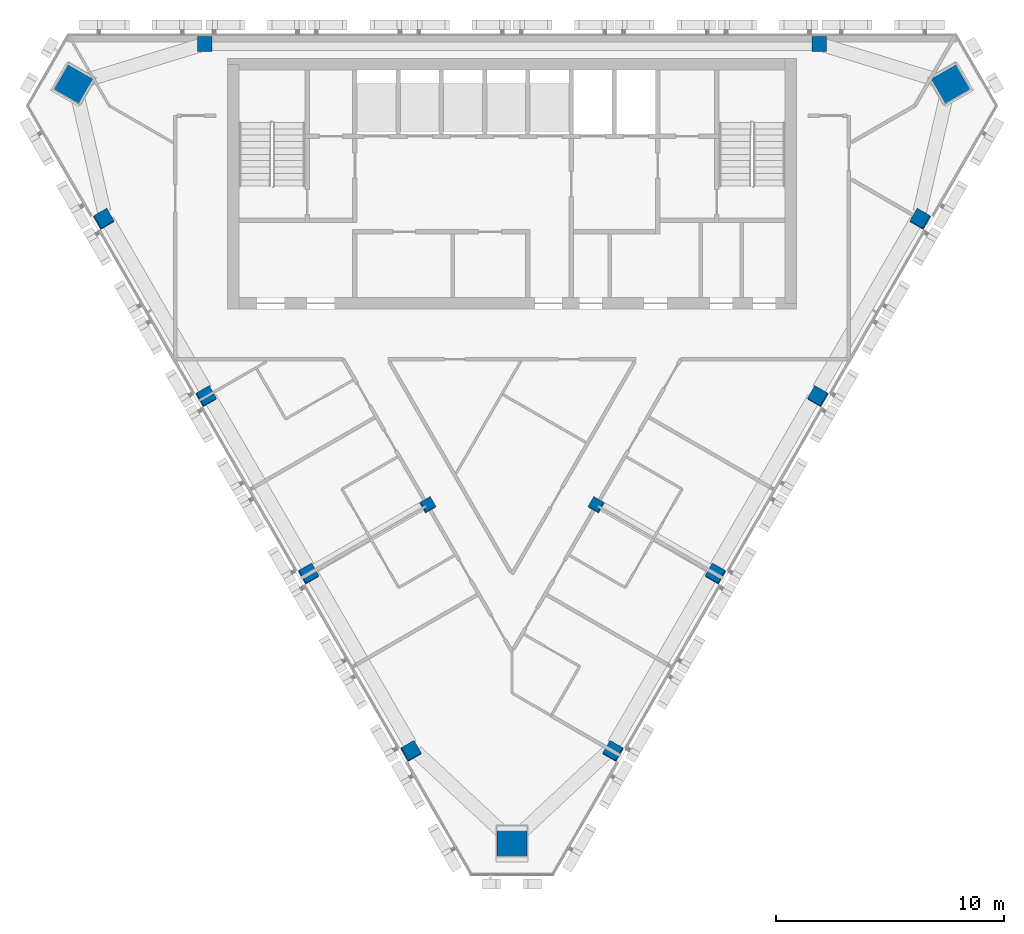
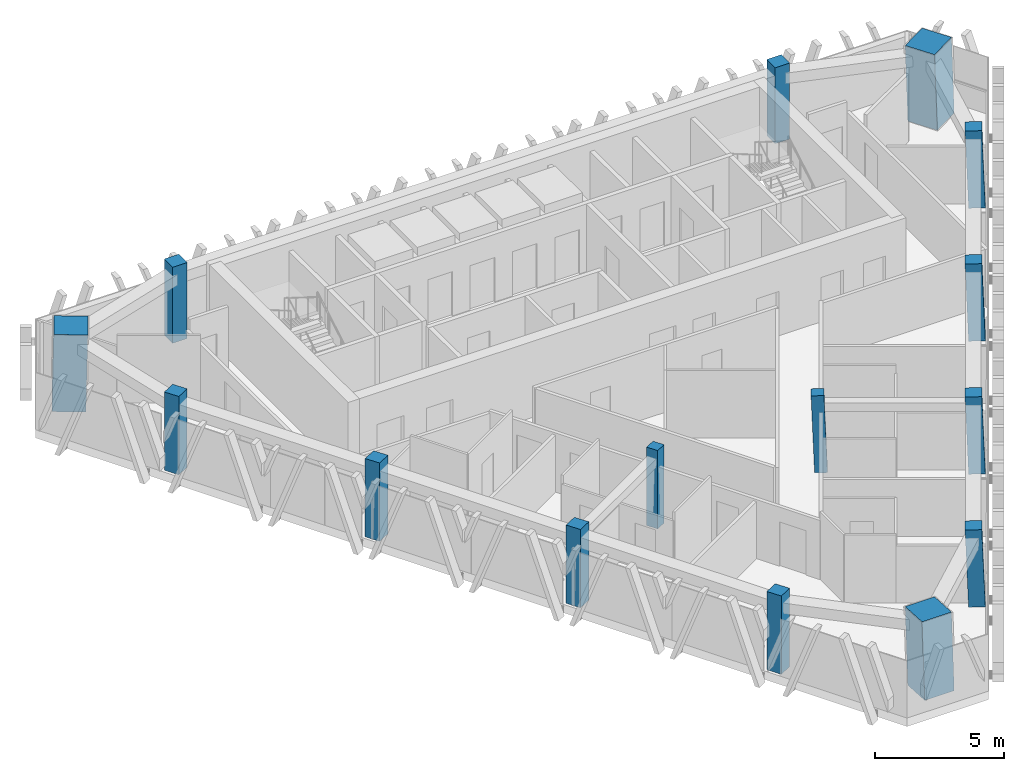
# One storey, part 1 of 12: 15 columns.
"""IFC4 building model written with IfcOpenShell, lengths in metres."""

import ifcopenshell
import ifcopenshell.guid

model = None  # the IFC model being written
_history = None  # IfcOwnerHistory: only IFC2X3 demands one
_inside = {}  # id of a spatial element -> (the spatial element, [elements in it])
_under = {}  # id of a project, library or spatial element -> (it, [spatial elements below it])
_declared = {}  # id of a project -> (the project, [libraries it declares])
_typed = {}  # id of a type object -> (the type object, [elements of that type])
_made_of = {}  # id of a material, layer set ... -> (it, [elements and type objects made of it])


def new_model(schema):
    """Start an empty IFC model of exactly this schema.

    Asked for "IFC4X3", IfcOpenShell would pick the latest addendum, in which some entities
    have other attributes; the version numbers below select the first issue.
    IFC2X3 requires an IfcOwnerHistory on every rooted entity: one is made here for all.
    """
    global model, _history
    if schema == "IFC4X3":
        model = ifcopenshell.file(schema_version=(4, 3, 0, 0))
    else:
        model = ifcopenshell.file(schema=schema)
    _inside.clear()
    _under.clear()
    _declared.clear()
    _typed.clear()
    _made_of.clear()
    _history = None
    if model.schema == "IFC2X3":
        org = make("IfcOrganization", Name="unknown")
        user = make(
            "IfcPersonAndOrganization",
            ThePerson=make("IfcPerson", FamilyName="unknown"),
            TheOrganization=org,
        )
        app = make(
            "IfcApplication",
            ApplicationDeveloper=org,
            Version="unknown",
            ApplicationFullName="unknown",
            ApplicationIdentifier="unknown",
        )
        _history = make(
            "IfcOwnerHistory",
            OwningUser=user,
            OwningApplication=app,
            ChangeAction="ADDED",
            CreationDate=0,
        )
    return model


def make(cls, **values):
    """One entity of the class cls with the attributes given. An attribute that is None is left unset."""
    return model.create_entity(
        cls, **{name: value for name, value in values.items() if value is not None}
    )


def rooted(cls, **values):
    """An entity with a GlobalId (a new one), such as an element, a storey or a relation."""
    return make(cls, GlobalId=ifcopenshell.guid.new(), OwnerHistory=_history, **values)


def si_unit(unit_type, name, prefix=None):
    """IfcSIUnit, for example si_unit("LENGTHUNIT", "METRE", prefix="MILLI")."""
    return make("IfcSIUnit", UnitType=unit_type, Prefix=prefix, Name=name)


def assignment(units):
    """IfcUnitAssignment: the units of a project."""
    return None if units is None else make("IfcUnitAssignment", Units=units)


def point(xyz):
    """IfcCartesianPoint."""
    return None if xyz is None else make("IfcCartesianPoint", Coordinates=xyz)


def direction(xyz):
    """IfcDirection."""
    return None if xyz is None else make("IfcDirection", DirectionRatios=xyz)


def frame(location, z_axis=None, x_axis=None):
    """IfcAxis2Placement3D, a coordinate frame: its origin and axes. An axis left out is left unset."""
    return make(
        "IfcAxis2Placement3D",
        Location=point(location),
        Axis=direction(z_axis),
        RefDirection=direction(x_axis),
    )


def frame_2d(location, x_axis=None):
    """IfcAxis2Placement2D, a coordinate frame in the plane: its origin and x axis."""
    return make(
        "IfcAxis2Placement2D", Location=point(location), RefDirection=direction(x_axis)
    )


def origin():
    """The frame at (0, 0, 0) with its axes left unset."""
    return frame((0.0, 0.0, 0.0))


def origin_2d():
    """The frame at (0, 0) in the plane with its x axis left unset."""
    return frame_2d((0.0, 0.0))


def place(relative_to, where):
    """IfcLocalPlacement: puts the frame where relative to a parent placement (None: the world)."""
    return make(
        "IfcLocalPlacement", PlacementRelTo=relative_to, RelativePlacement=where
    )


def context(
    kind, dimensions, precision=None, world=None, true_north=None, identifier=None
):
    """IfcGeometricRepresentationContext, for example the 3D "Model" context."""
    return make(
        "IfcGeometricRepresentationContext",
        ContextIdentifier=identifier,
        ContextType=kind,
        CoordinateSpaceDimension=dimensions,
        Precision=precision,
        WorldCoordinateSystem=world,
        TrueNorth=true_north,
    )


def subcontext(parent, identifier, kind, view, scale=None):
    """IfcGeometricRepresentationSubContext, for example "Body" below "Model"."""
    return make(
        "IfcGeometricRepresentationSubContext",
        ContextIdentifier=identifier,
        ContextType=kind,
        ParentContext=parent,
        TargetScale=scale,
        TargetView=view,
    )


def project(units=None, contexts=None):
    """IfcProject with its units and contexts."""
    return rooted(
        "IfcProject",
        Name="project",
        RepresentationContexts=contexts,
        UnitsInContext=assignment(units),
    )


def spatial(cls, under=None, at=None, **own):
    """A site, building, storey or space (cls), placed at a placement, below another one or the project."""
    s = rooted(cls, ObjectPlacement=at, **own)
    if under is not None:
        _under.setdefault(under.id(), (under, []))[1].append(s)
    return s


def profile(cls, at=None, kind="AREA", **sizes):
    """A parametric profile (cls). Its sizes go by their IFC names, for example OverallWidth=200.0."""
    return make(cls, ProfileType=kind, Position=at, **sizes)


def rectangle(**sizes):
    """IfcRectangleProfileDef."""
    return profile("IfcRectangleProfileDef", **sizes)


def extrude(swept, where, along, depth):
    """IfcExtrudedAreaSolid: the profile swept, set in the frame where, extruded along a direction by depth."""
    return make(
        "IfcExtrudedAreaSolid",
        SweptArea=swept,
        Position=where,
        ExtrudedDirection=direction(along),
        Depth=depth,
    )


def shape(context_of_items, identifier, shape_type, items):
    """IfcShapeRepresentation: the items that make up one representation, for example the "Body"."""
    return make(
        "IfcShapeRepresentation",
        ContextOfItems=context_of_items,
        RepresentationIdentifier=identifier,
        RepresentationType=shape_type,
        Items=items,
    )


def material(Name=None, Category=None):
    """IfcMaterial."""
    return make("IfcMaterial", Name=Name, Category=Category)


def material_profile(
    of_material, cross_section, Name=None, Category=None, Priority=None
):
    """IfcMaterialProfile: a cross section and its material."""
    return make(
        "IfcMaterialProfile",
        Name=Name,
        Material=of_material,
        Profile=cross_section,
        Priority=Priority,
        Category=Category,
    )


def profile_set(profiles, Name=None, composite=None):
    """IfcMaterialProfileSet."""
    return make(
        "IfcMaterialProfileSet",
        Name=Name,
        MaterialProfiles=profiles,
        CompositeProfile=composite,
    )


def made_of(thing, what):
    """Note that an element or type object is made of a material, layer set ...; save() writes the relation."""
    if what is not None:
        _made_of.setdefault(what.id(), (what, []))[1].append(thing)
    return thing


def type_object(cls, material=None, **own):
    """A type object (cls), such as IfcWallType, which elements share."""
    return made_of(rooted(cls, **own), material)


def element(
    cls,
    number,
    at=None,
    inside=None,
    cuts=None,
    type_object=None,
    material=None,
    context=None,
    identifier="Body",
    shape_type=None,
    held_by="IfcProductDefinitionShape",
    body=None,
    shapes=None,
    **own,
):
    """One element of the class cls, such as IfcWall. Its Tag is "e" and its number.

    at: its placement. inside: the storey or other place that contains it. cuts: it is an
    opening in that element (IfcRelVoidsElement). A single representation is given by context,
    identifier, shape_type and body (its items); several are given by shapes. held_by: the class
    of the entity that holds the representations. save() writes the other relations.
    """
    e = rooted(cls, Tag="e%d" % number, ObjectPlacement=at, **own)
    if body is not None:
        shapes = [shape(context, identifier, shape_type, body)]
    if shapes is not None:
        e.Representation = make(held_by, Representations=shapes)
    if inside is not None:
        _inside.setdefault(inside.id(), (inside, []))[1].append(e)
    if cuts is not None:
        rooted(
            "IfcRelVoidsElement", RelatingBuildingElement=cuts, RelatedOpeningElement=e
        )
    if type_object is not None:
        _typed.setdefault(type_object.id(), (type_object, []))[1].append(e)
    return made_of(e, material)


def aggregate(whole, parts):
    """IfcRelAggregates: a whole, such as a stair, and the parts it consists of."""
    return rooted("IfcRelAggregates", RelatingObject=whole, RelatedObjects=parts)


def save(model, path):
    """Write the relations noted so far, then the file.

    IfcRelAggregates (storeys below a building ...), IfcRelContainedInSpatialStructure (elements
    in a storey), IfcRelDefinesByType, IfcRelAssociatesMaterial and IfcRelDeclares: one each for
    every whole, place, type object, material and project.
    """
    for whole, parts in _under.values():
        aggregate(whole, parts)
    for where, things in _inside.values():
        rooted(
            "IfcRelContainedInSpatialStructure",
            RelatedElements=things,
            RelatingStructure=where,
        )
    for kind, things in _typed.values():
        rooted("IfcRelDefinesByType", RelatedObjects=things, RelatingType=kind)
    for what, things in _made_of.values():
        rooted("IfcRelAssociatesMaterial", RelatedObjects=things, RelatingMaterial=what)
    for by, libraries in _declared.values():
        rooted("IfcRelDeclares", RelatingContext=by, RelatedDefinitions=libraries)
    model.write(path)


model = new_model("IFC4")

# Units and contexts
model_context = context("Model", 3, precision=1e-05, world=origin(), true_north=direction((0.0, 1.0)))
body_context = subcontext(model_context, "Body", "Model", "MODEL_VIEW")
ifc_project = project(units=[si_unit("LENGTHUNIT", "METRE"), si_unit("AREAUNIT", "SQUARE_METRE"), si_unit("VOLUMEUNIT", "CUBIC_METRE"), si_unit("PLANEANGLEUNIT", "RADIAN"), si_unit("MASSUNIT", "GRAM", prefix="KILO")], contexts=[model_context])

# Site, building, storey
site_placement = place(None, origin())
site = spatial("IfcSite", under=ifc_project, at=site_placement, CompositionType="ELEMENT")
building_placement = place(site_placement, origin())
building = spatial("IfcBuilding", under=site, at=building_placement, Name="Altiplano Prism Tower", CompositionType="ELEMENT")
storey_placement = place(building_placement, frame((0.0, 0.0, 323.800048828125)))
storey = spatial("IfcBuildingStorey", under=building, at=storey_placement, Name="L84", CompositionType="ELEMENT", Elevation=323.800048828125)

# Columns
ifc_material_1 = material(Name="Concrete C60/75", Category="concrete")
ifc_material_profile_1 = material_profile(ifc_material_1, rectangle(XDim=0.5, YDim=0.5, at=origin_2d()), Name="Inner column 500")
ifc_profile_set_1 = profile_set([ifc_material_profile_1], Name="Concrete C60/75")
column_type_1 = type_object("IfcColumnType", Name="Inner column 500", PredefinedType="COLUMN", material=ifc_profile_set_1)
for number, where, z_axis, x_axis, name in (
    (1, (81.287109375, 84.274658203125, -0.01513671875), (0.02215519141, 0.038415882353, 0.999016199807), (-0.865364630406, -0.499668977735, 0.038405326858), "Inner column I13 L84"),
    (2, (88.712890625, 84.274658203125, -0.01513671875), (-0.02215519141, 0.038415882353, 0.999016199807), (-0.500652777817, -0.865364161883, 0.022173483991), "Inner column I22 L84"),
):
    element("IfcColumn", number, at=place(storey_placement, frame(where, z_axis=z_axis, x_axis=x_axis)), inside=storey, type_object=column_type_1, Name=name, PredefinedType="COLUMN", context=body_context, shape_type="SweptSolid", body=[
        extrude(rectangle(XDim=0.5, YDim=0.5, at=origin_2d()), origin(), (0.0, 0.0, 1.0), 3.603515625),
    ])
ifc_material_2 = material(Name="Concrete C70/85", Category="concrete")
ifc_material_profile_2 = material_profile(ifc_material_2, rectangle(XDim=1.320068359375, YDim=1.320068359375, at=origin_2d()), Name="Mega column infill 1400")
ifc_profile_set_2 = profile_set([ifc_material_profile_2], Name="Concrete C70/85")
column_type_2 = type_object("IfcColumnType", Name="Mega column infill 1400", PredefinedType="COLUMN", material=ifc_profile_set_2)
column_1_placement = place(storey_placement, frame((65.682861328125, 102.767578125, 0.0), z_axis=(0.028403721265, 0.009287135593, 0.999553389135), x_axis=(-0.866203322899, 0.499292288984, 0.019975323751)))
element("IfcColumn", 3, at=column_1_placement, inside=storey, type_object=column_type_2, Name="Mega column M0 L84", PredefinedType="COLUMN", context=body_context, shape_type="SweptSolid", body=[
    extrude(rectangle(XDim=1.320068359375, YDim=1.320068359375, at=origin_2d()), origin(), (0.0, 0.0, 1.0), 3.6015625),
])
column_2_placement = place(storey_placement, frame((85.0, 69.309326171875, 0.0), z_axis=(0.0, 0.058360852261, 0.998295552892), x_axis=(-1.0, 0.0, 0.0)))
element("IfcColumn", 4, at=column_2_placement, inside=storey, type_object=column_type_2, Name="Mega column M1 L84", PredefinedType="COLUMN", context=body_context, shape_type="SweptSolid", body=[
    extrude(rectangle(XDim=1.320068359375, YDim=1.320068359375, at=origin_2d()), origin(), (0.0, 0.0, 1.0), 3.60595703125),
])
column_3_placement = place(storey_placement, frame((104.317138671875, 102.767578125, 0.0), z_axis=(-0.028403721265, 0.009287135593, 0.999553389135), x_axis=(0.498883786083, -0.866383840612, 0.022226306716)))
element("IfcColumn", 5, at=column_3_placement, inside=storey, type_object=column_type_2, Name="Mega column M2 L84", PredefinedType="COLUMN", context=body_context, shape_type="SweptSolid", body=[
    extrude(rectangle(XDim=1.320068359375, YDim=1.320068359375, at=origin_2d()), origin(), (0.0, 0.0, 1.0), 3.6015625),
])
ifc_material_profile_3 = material_profile(ifc_material_1, rectangle(XDim=0.64990234375, YDim=0.64990234375, at=origin_2d()), Name="Perimeter column 650")
ifc_profile_set_3 = profile_set([ifc_material_profile_3], Name="Concrete C60/75")
column_type_3 = type_object("IfcColumnType", Name="Perimeter column 650", PredefinedType="COLUMN", material=ifc_profile_set_3)
for number, where, z_axis, x_axis, name in (
    (6, (98.5, 104.550048828125, 0.0), (0.0, 0.0, 1.0), (1.0, 0.0, 0.0), "Perimeter column P01 L84"),
    (7, (71.5, 104.550048828125, 0.0), (0.0, 0.0, 1.0), (1.0, 0.0, 0.0), "Perimeter column P04 L84"),
):
    element("IfcColumn", number, at=place(storey_placement, frame(where, z_axis=z_axis, x_axis=x_axis)), inside=storey, type_object=column_type_3, Name=name, PredefinedType="COLUMN", context=body_context, shape_type="SweptSolid", body=[
        extrude(rectangle(XDim=0.64990234375, YDim=0.64990234375, at=origin_2d()), origin(), (0.0, 0.0, 1.0), 3.599853515625),
    ])
for number, where, z_axis, x_axis, name in (
    (8, (67.04736328125, 96.837890625, -0.019775390625), (0.02222134892, 0.038480872521, 0.999012229206), (-0.865639410047, -0.499186822153, 0.038482832055), "Perimeter column P11 L84"),
    (9, (71.54736328125, 89.043701171875, -0.019775390625), (0.02222134892, 0.038480872521, 0.999012229206), (-0.865639410047, -0.499186822153, 0.038482832055), "Perimeter column P12 L84"),
    (10, (76.04736328125, 81.24951171875, -0.019775390625), (0.022221406801, 0.038413224561, 0.999014831351), (-0.866024065394, -0.498523117158, 0.038432015521), "Perimeter column P13 L84"),
    (11, (80.54736328125, 73.455322265625, -0.019775390625), (0.022221406801, 0.038413224561, 0.999014831351), (-0.866024065394, -0.498523117158, 0.038432015521), "Perimeter column P14 L84"),
    (12, (89.45263671875, 73.455322265625, -0.019775390625), (-0.022221406801, 0.038413224561, 0.999014831351), (-0.499508285454, -0.866024899087, 0.022188891913), "Perimeter column P21 L84"),
    (13, (93.95263671875, 81.24951171875, -0.019775390625), (-0.022221406801, 0.038413224561, 0.999014831351), (-0.499508285454, -0.866024899087, 0.022188891913), "Perimeter column P22 L84"),
    (14, (98.45263671875, 89.043701171875, -0.019775390625), (-0.02222134892, 0.038480872521, 0.999012229206), (-0.500174592943, -0.865639497158, 0.022217955235), "Perimeter column P23 L84"),
    (15, (102.95263671875, 96.837890625, -0.019775390625), (-0.02222134892, 0.038480872521, 0.999012229206), (-0.500174592943, -0.865639497158, 0.022217955235), "Perimeter column P24 L84"),
):
    element("IfcColumn", number, at=place(storey_placement, frame(where, z_axis=z_axis, x_axis=x_axis)), inside=storey, type_object=column_type_3, Name=name, PredefinedType="COLUMN", context=body_context, shape_type="SweptSolid", body=[
        extrude(rectangle(XDim=0.64990234375, YDim=0.64990234375, at=origin_2d()), origin(), (0.0, 0.0, 1.0), 3.603759765625),
    ])

save(model, "model.ifc")
